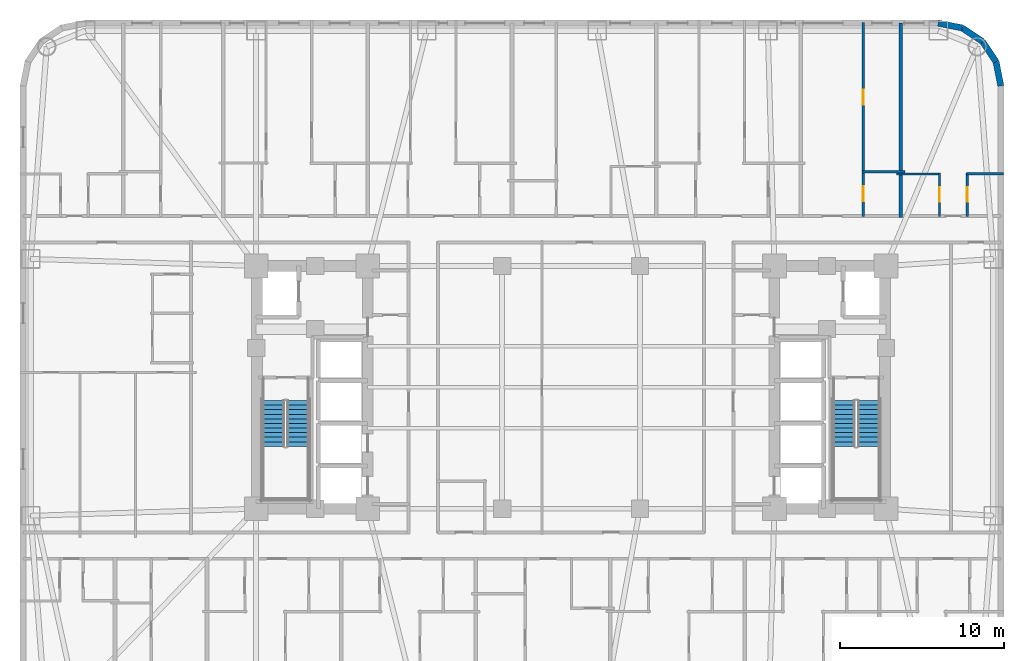
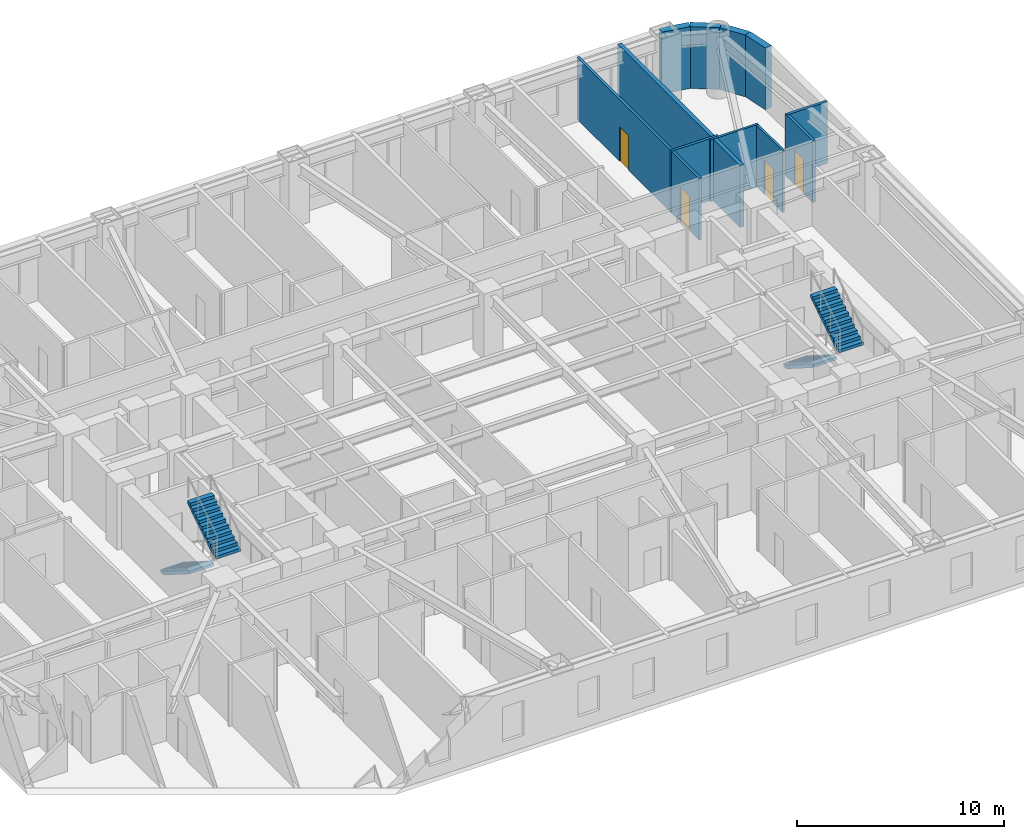
# One storey, part 10 of 12: 12 walls, 4 doors, 4 stair flights, 4 openings, 2 elements without a shape of their own.
"""IFC4 building model written with IfcOpenShell, lengths in metres."""

from ifc_helpers import new_model, si_unit, direction, frame, frame_2d, origin, place, context, subcontext, project, spatial, polyline, rectangle, outline, extrude, material, layer, layer_set, type_object, element, fill, aggregate, save


model = new_model("IFC4")

# Units and contexts
model_context = context("Model", 3, precision=1e-05, world=origin(), true_north=direction((0.0, 1.0)))
body_context = subcontext(model_context, "Body", "Model", "MODEL_VIEW")
ifc_project = project(units=[si_unit("LENGTHUNIT", "METRE"), si_unit("AREAUNIT", "SQUARE_METRE"), si_unit("VOLUMEUNIT", "CUBIC_METRE"), si_unit("PLANEANGLEUNIT", "RADIAN"), si_unit("MASSUNIT", "GRAM", prefix="KILO")], contexts=[model_context])

# Site, building, storey
site_placement = place(None, origin())
site = spatial("IfcSite", under=ifc_project, at=site_placement, CompositionType="ELEMENT")
building_placement = place(site_placement, origin())
building = spatial("IfcBuilding", under=site, at=building_placement, Name="Voryun Gate Residences", CompositionType="ELEMENT")
storey_placement = place(building_placement, frame((0.0, 0.0, 72.800048828125)))
storey = spatial("IfcBuildingStorey", under=building, at=storey_placement, Name="L17", CompositionType="ELEMENT", Elevation=72.800048828125)

# Walls
ifc_material_1 = material(Name="Granite masonry", Category="masonry")
ifc_layer_1 = layer(ifc_material_1, 0.3798828125, Name="W_EXT_GRANITE_380")
ifc_layer_set_1 = layer_set([ifc_layer_1], Name="Granite masonry")
wall_type_1 = type_object("IfcWallType", Name="W_EXT_GRANITE_380", PredefinedType="ELEMENTEDWALL", material=ifc_layer_set_1)
wall_1_placement = place(storey_placement, frame((22.38134765625, 22.2099609375, 0.0), z_axis=(0.0, 0.0, 1.0), x_axis=(0.980786132421, -0.195086038585, 0.0)))
element("IfcWall", 1, at=wall_1_placement, inside=storey, type_object=wall_type_1, Name="Exterior wall WEXT-L17-12", PredefinedType="ELEMENTEDWALL", context=body_context, shape_type="SweptSolid", body=[
    extrude(rectangle(XDim=1.504150390625, YDim=0.3798828125, at=frame_2d((0.751953125, 0.0))), origin(), (0.0, 0.0, 1.0), 3.64990234375),
])
for number, where, z_axis, x_axis, name in (
    (2, (23.856689453125, 21.91650390625, 0.0), (0.0, 0.0, 1.0), (0.831392092774, -0.555686231674, 0.0), "Exterior wall WEXT-L17-13"),
    (3, (25.09130859375, 21.09130859375, 0.0), (0.0, 0.0, 1.0), (0.555686231674, -0.831392092774, 0.0), "Exterior wall WEXT-L17-14"),
):
    element("IfcWall", number, at=place(storey_placement, frame(where, z_axis=z_axis, x_axis=x_axis)), inside=storey, type_object=wall_type_1, Name=name, PredefinedType="ELEMENTEDWALL", context=body_context, shape_type="SweptSolid", body=[
        extrude(rectangle(XDim=1.485107421875, YDim=0.3798828125, at=frame_2d((0.74267578125, 0.0))), origin(), (0.0, 0.0, 1.0), 3.64990234375),
    ])
wall_2_placement = place(storey_placement, frame((25.91650390625, 19.856689453125, 0.0), z_axis=(0.0, 0.0, 1.0), x_axis=(0.195086038585, -0.980786132421, 0.0)))
element("IfcWall", 4, at=wall_2_placement, inside=storey, type_object=wall_type_1, Name="Exterior wall WEXT-L17-15", PredefinedType="ELEMENTEDWALL", context=body_context, shape_type="SweptSolid", body=[
    extrude(rectangle(XDim=1.504150390625, YDim=0.3798828125, at=frame_2d((0.751953125, 0.0))), origin(), (0.0, 0.0, 1.0), 3.64990234375),
])
ifc_material_2 = material(Name="Concrete C40/50", Category="concrete")
ifc_layer_2 = layer(ifc_material_2, 0.219970703125, Name="W_PARTY_ACOUSTIC_220")
ifc_layer_set_2 = layer_set([ifc_layer_2], Name="Concrete C40/50")
wall_type_2 = type_object("IfcWallType", Name="W_PARTY_ACOUSTIC_220", PredefinedType="PARTITIONING", material=ifc_layer_set_2)
wall_3_placement = place(storey_placement, frame((20.10888671875, 10.3701171875, 0.0), z_axis=(0.0, 0.0, 1.0), x_axis=(0.0, 1.0, 0.0)))
element("IfcWall", 5, at=wall_3_placement, inside=storey, type_object=wall_type_2, Name="Partition wall WP-L17-NPTY-7", PredefinedType="PARTITIONING", context=body_context, shape_type="SweptSolid", body=[
    extrude(rectangle(XDim=11.83984375, YDim=0.219970703125, at=frame_2d((5.919921875, 0.0))), origin(), (0.0, 0.0, 1.0), 3.64990234375),
])

# Wall, opening, door
ifc_material_3 = material(Name="Gypsum acoustic partition")
ifc_layer_3 = layer(ifc_material_3, 0.125, Name="W_UNIT_PART_125")
ifc_layer_set_3 = layer_set([ifc_layer_3], Name="Gypsum acoustic partition")
wall_type_3 = type_object("IfcWallType", Name="W_UNIT_PART_125", PredefinedType="PARTITIONING", material=ifc_layer_set_3)
wall_4_placement = place(storey_placement, frame((22.467041015625, 10.429931640625, 0.0), z_axis=(0.0, 0.0, 1.0), x_axis=(0.0, 1.0, 0.0)))
wall_4 = element("IfcWall", 6, at=wall_4_placement, inside=storey, type_object=wall_type_3, Name="Partition wall WP-L17-N8-CVK", PredefinedType="PARTITIONING", context=body_context, shape_type="SweptSolid", body=[
    extrude(rectangle(XDim=2.650146484375, YDim=0.125, at=frame_2d((1.3251953125, 0.0))), origin(), (0.0, 0.0, 1.0), 3.64990234375),
])
opening_1_placement = place(wall_4_placement, frame((0.875, 0.0, 0.0)))
opening_1 = element("IfcOpeningElement", 7, at=opening_1_placement, cuts=wall_4, Name="Opening D-INT-2", PredefinedType="OPENING", context=body_context, shape_type="SweptSolid", body=[
    extrude(rectangle(XDim=0.89990234375, YDim=2.050048828125, at=frame_2d((0.449951171875, 1.02490234375))), frame((0.0, 0.072509765625, 0.0), z_axis=(0.0, -1.0, 0.0), x_axis=(1.0, 0.0, 0.0)), (0.0, 0.0, 1.0), 0.14501953125),
])
ifc_material_4 = material(Name="Architectural oak veneer")
door_type = type_object("IfcDoorType", Name="DR_INT_BATH_900", OperationType="NOTDEFINED", PredefinedType="DOOR", material=ifc_material_4)
door_1_placement = place(opening_1_placement, origin())
door_1 = element("IfcDoor", 8, at=door_1_placement, inside=storey, type_object=door_type, Name="Door DR-L17-N8-DK", OperationType="SINGLE_SWING_LEFT", OverallHeight=2.050048828125, OverallWidth=0.89990234375, PredefinedType="DOOR", context=body_context, shape_type="SweptSolid", body=[
    extrude(rectangle(XDim=0.89990234375, YDim=2.050048828125, at=frame_2d((0.449951171875, 1.02490234375))), frame((0.0, 0.02490234375, 0.0), z_axis=(0.0, -1.0, 0.0), x_axis=(1.0, 0.0, 0.0)), (0.0, 0.0, 1.0), 0.050048828125),
])
fill(opening_1, door_1)

# Walls
wall_5_placement = place(storey_placement, frame((19.84912109375, 13.02001953125, 0.0), z_axis=(0.0, 0.0, 1.0), x_axis=(1.0, 0.0, 0.0)))
element("IfcWall", 9, at=wall_5_placement, inside=storey, type_object=wall_type_3, Name="Partition wall WP-L17-N8-CHK", PredefinedType="PARTITIONING", context=body_context, shape_type="SweptSolid", body=[
    extrude(rectangle(XDim=2.677978515625, YDim=0.125, at=frame_2d((1.3388671875, 0.0))), origin(), (0.0, 0.0, 1.0), 3.64990234375),
])
ifc_material_5 = material(Name="Gypsum moisture-resistant partition")
ifc_layer_4 = layer(ifc_material_5, 0.14990234375, Name="W_WET_PLUMB_150")
ifc_layer_set_4 = layer_set([ifc_layer_4], Name="Gypsum moisture-resistant partition")
wall_type_4 = type_object("IfcWallType", Name="W_WET_PLUMB_150", PredefinedType="PLUMBINGWALL", material=ifc_layer_set_4)
wall_6_placement = place(storey_placement, frame((17.735107421875, 13.14990234375, 0.0), z_axis=(0.0, 0.0, 1.0), x_axis=(1.0, 0.0, 0.0)))
element("IfcWall", 10, at=wall_6_placement, inside=storey, type_object=wall_type_4, Name="Partition wall WP-L17-N7-SKB", PredefinedType="PLUMBINGWALL", context=body_context, shape_type="SweptSolid", body=[
    extrude(rectangle(XDim=2.6337890625, YDim=0.14990234375, at=frame_2d((1.31689453125, 0.0))), origin(), (0.0, 0.0, 1.0), 3.64990234375),
])

# Wall, opening, door
wall_7_placement = place(storey_placement, frame((17.81494140625, 10.429931640625, 0.0), z_axis=(0.0, 0.0, 1.0), x_axis=(0.0, 1.0, 0.0)))
wall_7 = element("IfcWall", 11, at=wall_7_placement, inside=storey, type_object=wall_type_4, Name="Partition wall WP-L17-N7-SVT1", PredefinedType="PLUMBINGWALL", context=body_context, shape_type="SweptSolid", body=[
    extrude(rectangle(XDim=2.760009765625, YDim=0.14990234375, at=frame_2d((1.3798828125, 0.0))), origin(), (0.0, 0.0, 1.0), 3.64990234375),
])
opening_2_placement = place(wall_7_placement, frame((0.929931640625, 0.0, 0.0)))
opening_2 = element("IfcOpeningElement", 12, at=opening_2_placement, cuts=wall_7, Name="Opening D-INT-2", PredefinedType="OPENING", context=body_context, shape_type="SweptSolid", body=[
    extrude(rectangle(XDim=0.89990234375, YDim=2.050048828125, at=frame_2d((0.449951171875, 1.02490234375))), frame((0.0, 0.0849609375, 0.0), z_axis=(0.0, -1.0, 0.0), x_axis=(1.0, 0.0, 0.0)), (0.0, 0.0, 1.0), 0.169921875),
])
door_2_placement = place(opening_2_placement, origin())
door_2 = element("IfcDoor", 13, at=door_2_placement, inside=storey, type_object=door_type, Name="Door DR-L17-N7-DB", OperationType="SINGLE_SWING_LEFT", OverallHeight=2.050048828125, OverallWidth=0.89990234375, PredefinedType="DOOR", context=body_context, shape_type="SweptSolid", body=[
    extrude(rectangle(XDim=0.89990234375, YDim=2.050048828125, at=frame_2d((0.449951171875, 1.02490234375))), frame((0.0, 0.02490234375, 0.0), z_axis=(0.0, -1.0, 0.0), x_axis=(1.0, 0.0, 0.0)), (0.0, 0.0, 1.0), 0.050048828125),
])
fill(opening_2, door_2)

wall_8_placement = place(storey_placement, frame((17.81494140625, 13.110107421875, 0.0), z_axis=(0.0, 0.0, 1.0), x_axis=(0.0, 1.0, 0.0)))
wall_8 = element("IfcWall", 14, at=wall_8_placement, inside=storey, type_object=wall_type_4, Name="Partition wall WP-L17-N7-SVT2", PredefinedType="PLUMBINGWALL", context=body_context, shape_type="SweptSolid", body=[
    extrude(rectangle(XDim=9.1474609375, YDim=0.14990234375, at=frame_2d((4.57373046875, 0.0))), origin(), (0.0, 0.0, 1.0), 3.64990234375),
])
opening_3_placement = place(wall_8_placement, frame((4.123779296875, 0.0, 0.0)))
opening_3 = element("IfcOpeningElement", 15, at=opening_3_placement, cuts=wall_8, Name="Opening D-INT-2", PredefinedType="OPENING", context=body_context, shape_type="SweptSolid", body=[
    extrude(rectangle(XDim=0.89990234375, YDim=2.050048828125, at=frame_2d((0.449951171875, 1.02490234375))), frame((0.0, 0.0849609375, 0.0), z_axis=(0.0, -1.0, 0.0), x_axis=(1.0, 0.0, 0.0)), (0.0, 0.0, 1.0), 0.169921875),
])
door_3_placement = place(opening_3_placement, origin())
door_3 = element("IfcDoor", 16, at=door_3_placement, inside=storey, type_object=door_type, Name="Door DR-L17-N7-DK", OperationType="SINGLE_SWING_RIGHT", OverallHeight=2.050048828125, OverallWidth=0.89990234375, PredefinedType="DOOR", context=body_context, shape_type="SweptSolid", body=[
    extrude(rectangle(XDim=0.89990234375, YDim=2.050048828125, at=frame_2d((0.449951171875, 1.02490234375))), frame((0.0, 0.02490234375, 0.0), z_axis=(0.0, -1.0, 0.0), x_axis=(1.0, 0.0, 0.0)), (0.0, 0.0, 1.0), 0.050048828125),
])
fill(opening_3, door_3)

wall_9_placement = place(storey_placement, frame((24.160888671875, 10.429931640625, 0.0), z_axis=(0.0, 0.0, 1.0), x_axis=(0.0, 1.0, 0.0)))
wall_9 = element("IfcWall", 17, at=wall_9_placement, inside=storey, type_object=wall_type_4, Name="Partition wall WP-L17-N8-CVB", PredefinedType="PLUMBINGWALL", context=body_context, shape_type="SweptSolid", body=[
    extrude(rectangle(XDim=2.650146484375, YDim=0.14990234375, at=frame_2d((1.3251953125, 0.0))), origin(), (0.0, 0.0, 1.0), 3.64990234375),
])
opening_4_placement = place(wall_9_placement, frame((0.875, 0.0, 0.0)))
opening_4 = element("IfcOpeningElement", 18, at=opening_4_placement, cuts=wall_9, Name="Opening D-INT-2", PredefinedType="OPENING", context=body_context, shape_type="SweptSolid", body=[
    extrude(rectangle(XDim=0.89990234375, YDim=2.050048828125, at=frame_2d((0.449951171875, 1.02490234375))), frame((0.0, 0.0849609375, 0.0), z_axis=(0.0, -1.0, 0.0), x_axis=(1.0, 0.0, 0.0)), (0.0, 0.0, 1.0), 0.169921875),
])
door_4_placement = place(opening_4_placement, origin())
door_4 = element("IfcDoor", 19, at=door_4_placement, inside=storey, type_object=door_type, Name="Door DR-L17-N8-DB", OperationType="SINGLE_SWING_RIGHT", OverallHeight=2.050048828125, OverallWidth=0.89990234375, PredefinedType="DOOR", context=body_context, shape_type="SweptSolid", body=[
    extrude(rectangle(XDim=0.89990234375, YDim=2.050048828125, at=frame_2d((0.449951171875, 1.02490234375))), frame((0.0, 0.02490234375, 0.0), z_axis=(0.0, -1.0, 0.0), x_axis=(1.0, 0.0, 0.0)), (0.0, 0.0, 1.0), 0.050048828125),
])
fill(opening_4, door_4)

# Wall
wall_10_placement = place(storey_placement, frame((24.10107421875, 13.02001953125, 0.0), z_axis=(0.0, 0.0, 1.0), x_axis=(1.0, 0.0, 0.0)))
element("IfcWall", 20, at=wall_10_placement, inside=storey, type_object=wall_type_4, Name="Partition wall WP-L17-N8-CHB", PredefinedType="PLUMBINGWALL", context=body_context, shape_type="SweptSolid", body=[
    extrude(rectangle(XDim=2.259033203125, YDim=0.14990234375, at=frame_2d((1.12939453125, 0.0))), origin(), (0.0, 0.0, 1.0), 3.64990234375),
])

# Stair, stair flights
ifc_material_6 = material(Name="Concrete C40/50", Category="concrete")
stair_type = type_object("IfcStairType", Name="STR_CORE_DOGLEG_1350", PredefinedType="HALF_TURN_STAIR", material=ifc_material_6)
stair_1_placement = place(storey_placement, origin())
stair_1 = element("IfcStair", 21, at=stair_1_placement, inside=storey, type_object=stair_type, Name="L17 Special Escape Stair ST-W1", PredefinedType="HALF_TURN_STAIR")
ifc_material_7 = material(Name="Concrete C40/50", Category="concrete")
stair_flight_type = type_object("IfcStairFlightType", Name="FLT_CORE_1350", PredefinedType="STRAIGHT", material=ifc_material_7)
stair_flight_1_placement = place(storey_placement, frame((-18.14990234375, -0.800048828125, 0.0), z_axis=(0.0, 0.0, 1.0), x_axis=(0.0, -1.0, 0.0)))
stair_flight_1 = element("IfcStairFlight", 22, at=stair_flight_1_placement, type_object=stair_flight_type, Name="ST-W1 flight 1", NumberOfRisers=11, NumberOfTreads=10, PredefinedType="STRAIGHT", RiserHeight=0.177272727, TreadLength=0.28, context=body_context, shape_type="SweptSolid", body=[
    extrude(outline(polyline([(0.0, 0.0), (0.0, 0.17724609375), (0.280029296875, 0.17724609375), (0.280029296875, 0.3544921875), (0.56005859375, 0.3544921875), (0.56005859375, 0.53173828125), (0.840087890625, 0.53173828125), (0.840087890625, 0.708984375), (1.1201171875, 0.708984375), (1.1201171875, 0.886474609375), (1.39990234375, 0.886474609375), (1.39990234375, 1.063720703125), (1.679931640625, 1.063720703125), (1.679931640625, 1.240966796875), (1.9599609375, 1.240966796875), (1.9599609375, 1.418212890625), (2.239990234375, 1.418212890625), (2.239990234375, 1.595458984375), (2.52001953125, 1.595458984375), (2.52001953125, 1.772705078125), (2.800048828125, 1.772705078125), (2.800048828125, 1.949951171875), (2.800048828125, 1.59521484375), (0.2802734375, 0.0), (0.0, 0.0)])), frame((0.0, 0.675048828125, 0.0), z_axis=(0.0, -1.0, 0.0), x_axis=(1.0, 0.0, 0.0)), (0.0, 0.0, 1.0), 1.35009765625),
])
stair_flight_2_placement = place(storey_placement, frame((-16.64990234375, -3.60009765625, 1.949951171875), z_axis=(0.0, 0.0, 1.0), x_axis=(0.0, 1.0, 0.0)))
stair_flight_2 = element("IfcStairFlight", 23, at=stair_flight_2_placement, type_object=stair_flight_type, Name="ST-W1 flight 2", NumberOfRisers=11, NumberOfTreads=10, PredefinedType="STRAIGHT", RiserHeight=0.177272727, TreadLength=0.28, context=body_context, shape_type="SweptSolid", body=[
    extrude(outline(polyline([(0.0, 0.0), (0.0, 0.17724609375), (0.280029296875, 0.17724609375), (0.280029296875, 0.3544921875), (0.56005859375, 0.3544921875), (0.56005859375, 0.53173828125), (0.840087890625, 0.53173828125), (0.840087890625, 0.708984375), (1.1201171875, 0.708984375), (1.1201171875, 0.886474609375), (1.39990234375, 0.886474609375), (1.39990234375, 1.063720703125), (1.679931640625, 1.063720703125), (1.679931640625, 1.240966796875), (1.9599609375, 1.240966796875), (1.9599609375, 1.418212890625), (2.239990234375, 1.418212890625), (2.239990234375, 1.595458984375), (2.52001953125, 1.595458984375), (2.52001953125, 1.772705078125), (2.800048828125, 1.772705078125), (2.800048828125, 1.949951171875), (2.800048828125, 1.59521484375), (0.2802734375, 0.0), (0.0, 0.0)])), frame((0.0, 0.675048828125, 0.0), z_axis=(0.0, -1.0, 0.0), x_axis=(1.0, 0.0, 0.0)), (0.0, 0.0, 1.0), 1.35009765625),
])
aggregate(stair_1, [stair_flight_1, stair_flight_2])

stair_2_placement = place(storey_placement, origin())
stair_2 = element("IfcStair", 24, at=stair_2_placement, inside=storey, type_object=stair_type, Name="L17 Special Escape Stair ST-E1", PredefinedType="HALF_TURN_STAIR")
stair_flight_3_placement = place(storey_placement, frame((16.64990234375, -0.800048828125, 0.0), z_axis=(0.0, 0.0, 1.0), x_axis=(0.0, -1.0, 0.0)))
stair_flight_3 = element("IfcStairFlight", 25, at=stair_flight_3_placement, type_object=stair_flight_type, Name="ST-E1 flight 1", NumberOfRisers=11, NumberOfTreads=10, PredefinedType="STRAIGHT", RiserHeight=0.177272727, TreadLength=0.28, context=body_context, shape_type="SweptSolid", body=[
    extrude(outline(polyline([(0.0, 0.0), (0.0, 0.17724609375), (0.280029296875, 0.17724609375), (0.280029296875, 0.3544921875), (0.56005859375, 0.3544921875), (0.56005859375, 0.53173828125), (0.840087890625, 0.53173828125), (0.840087890625, 0.708984375), (1.1201171875, 0.708984375), (1.1201171875, 0.886474609375), (1.39990234375, 0.886474609375), (1.39990234375, 1.063720703125), (1.679931640625, 1.063720703125), (1.679931640625, 1.240966796875), (1.9599609375, 1.240966796875), (1.9599609375, 1.418212890625), (2.239990234375, 1.418212890625), (2.239990234375, 1.595458984375), (2.52001953125, 1.595458984375), (2.52001953125, 1.772705078125), (2.800048828125, 1.772705078125), (2.800048828125, 1.949951171875), (2.800048828125, 1.59521484375), (0.2802734375, 0.0), (0.0, 0.0)])), frame((0.0, 0.675048828125, 0.0), z_axis=(0.0, -1.0, 0.0), x_axis=(1.0, 0.0, 0.0)), (0.0, 0.0, 1.0), 1.35009765625),
])
stair_flight_4_placement = place(storey_placement, frame((18.14990234375, -3.60009765625, 1.949951171875), z_axis=(0.0, 0.0, 1.0), x_axis=(0.0, 1.0, 0.0)))
stair_flight_4 = element("IfcStairFlight", 26, at=stair_flight_4_placement, type_object=stair_flight_type, Name="ST-E1 flight 2", NumberOfRisers=11, NumberOfTreads=10, PredefinedType="STRAIGHT", RiserHeight=0.177272727, TreadLength=0.28, context=body_context, shape_type="SweptSolid", body=[
    extrude(outline(polyline([(0.0, 0.0), (0.0, 0.17724609375), (0.280029296875, 0.17724609375), (0.280029296875, 0.3544921875), (0.56005859375, 0.3544921875), (0.56005859375, 0.53173828125), (0.840087890625, 0.53173828125), (0.840087890625, 0.708984375), (1.1201171875, 0.708984375), (1.1201171875, 0.886474609375), (1.39990234375, 0.886474609375), (1.39990234375, 1.063720703125), (1.679931640625, 1.063720703125), (1.679931640625, 1.240966796875), (1.9599609375, 1.240966796875), (1.9599609375, 1.418212890625), (2.239990234375, 1.418212890625), (2.239990234375, 1.595458984375), (2.52001953125, 1.595458984375), (2.52001953125, 1.772705078125), (2.800048828125, 1.772705078125), (2.800048828125, 1.949951171875), (2.800048828125, 1.59521484375), (0.2802734375, 0.0), (0.0, 0.0)])), frame((0.0, 0.675048828125, 0.0), z_axis=(0.0, -1.0, 0.0), x_axis=(1.0, 0.0, 0.0)), (0.0, 0.0, 1.0), 1.35009765625),
])
aggregate(stair_2, [stair_flight_3, stair_flight_4])

save(model, "model.ifc")
